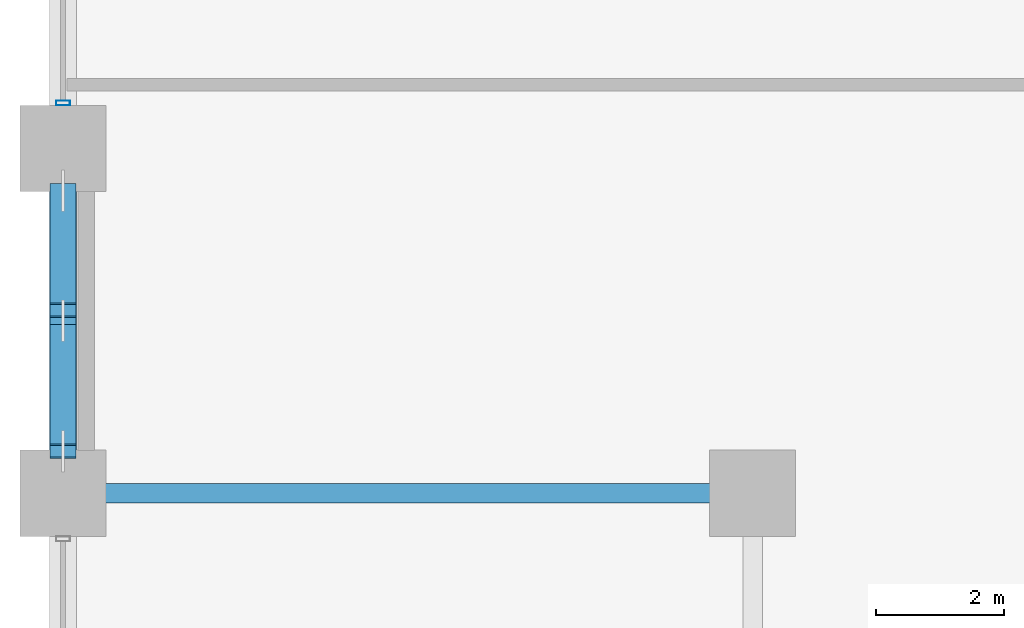
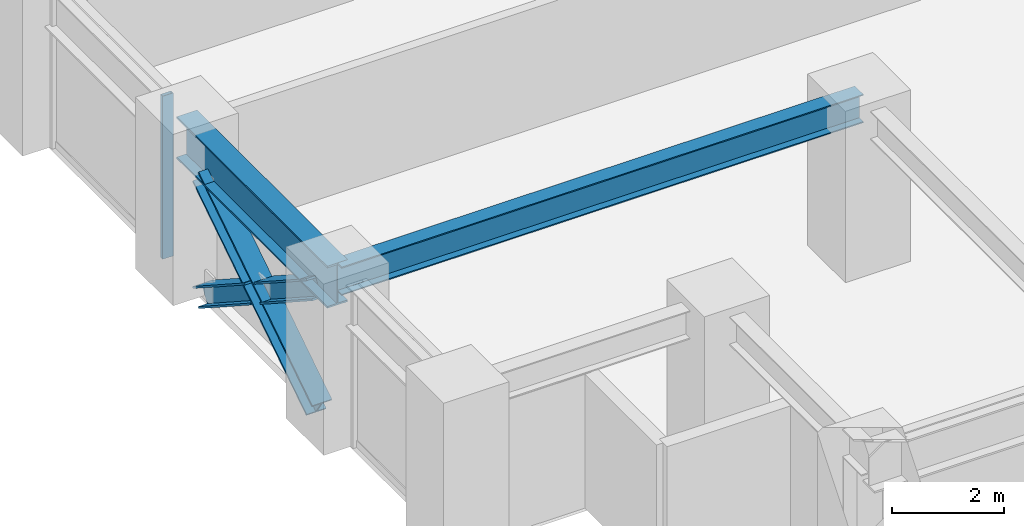
# One storey, part 3 of 24: 4 members, 2 beams, 1 element without a shape of its own.
"""IFC4 building model written with IfcOpenShell, lengths in metres."""

from ifc_helpers import new_model, si_unit, direction, frame, origin, origin_2d, place, context, subcontext, project, spatial, hollow_rectangle, i_section, extrude, material, layer, layer_set, material_profile, profile_set, type_object, element, aggregate, save


model = new_model("IFC4")

# Units and contexts
model_context = context("Model", 3, precision=1e-05, world=origin(), true_north=direction((0.0, 1.0)))
body_context = subcontext(model_context, "Body", "Model", "MODEL_VIEW")
ifc_project = project(units=[si_unit("LENGTHUNIT", "METRE"), si_unit("AREAUNIT", "SQUARE_METRE"), si_unit("VOLUMEUNIT", "CUBIC_METRE"), si_unit("PLANEANGLEUNIT", "RADIAN"), si_unit("MASSUNIT", "GRAM", prefix="KILO")], contexts=[model_context])

# Site, building, storey
site_placement = place(None, origin())
site = spatial("IfcSite", under=ifc_project, at=site_placement, CompositionType="ELEMENT")
building_placement = place(site_placement, origin())
building = spatial("IfcBuilding", under=site, at=building_placement, Name="Surkhivell Harbour Commons", CompositionType="ELEMENT")
storey_placement = place(building_placement, frame((0.0, 0.0, 26.25)))
storey = spatial("IfcBuildingStorey", under=building, at=storey_placement, Name="L06", CompositionType="ELEMENT", Elevation=26.25)

# Beams
ifc_material_1 = material(Name="Steel S355", Category="steel")
ifc_material_profile_1 = material_profile(ifc_material_1, i_section(OverallWidth=0.306884765625, OverallDepth=0.6201171875, WebThickness=0.01416015625, FlangeThickness=0.023681640625, at=origin_2d()), Name="UB610x305x179")
ifc_profile_set_1 = profile_set([ifc_material_profile_1], Name="Steel S355")
beam_type_1 = type_object("IfcBeamType", Name="BM-GRD-610A", PredefinedType="BEAM", material=ifc_profile_set_1)
beam_1_placement = place(storey_placement, frame((-32.39990234375, -16.199951171875, 3.260009765625), z_axis=(1.0, 0.0, 0.0), x_axis=(0.0, 1.0, 0.0)))
element("IfcBeam", 1, at=beam_1_placement, inside=storey, type_object=beam_type_1, Name="L06 Floor Girder (-32.4,-16.2)", PredefinedType="BEAM", context=body_context, shape_type="SweptSolid", body=[
    extrude(i_section(OverallWidth=0.306884765625, OverallDepth=0.6201171875, WebThickness=0.01416015625, FlangeThickness=0.023681640625, at=origin_2d()), origin(), (0.0, 0.0, 1.0), 10.7998046875),
])
ifc_material_2 = material(Name="Steel S460", Category="steel")
ifc_material_profile_2 = material_profile(ifc_material_2, i_section(OverallWidth=0.419921875, OverallDepth=0.9208984375, WebThickness=0.021484375, FlangeThickness=0.03662109375, at=origin_2d()), Name="UB914x419x388")
ifc_profile_set_2 = profile_set([ifc_material_profile_2], Name="Steel S460")
beam_type_2 = type_object("IfcBeamType", Name="BM-SPN-914A", PredefinedType="SPANDREL", material=ifc_profile_set_2)
beam_2_placement = place(storey_placement, frame((-32.39990234375, -16.199951171875, 3.109619140625), z_axis=(0.0, 1.0, 0.0), x_axis=(-1.0, 0.0, 0.0)))
element("IfcBeam", 2, at=beam_2_placement, inside=storey, type_object=beam_type_2, Name="L06 Tube Spandrel (-32.4,-16.2)", PredefinedType="SPANDREL", context=body_context, shape_type="SweptSolid", body=[
    extrude(i_section(OverallWidth=0.419921875, OverallDepth=0.9208984375, WebThickness=0.021484375, FlangeThickness=0.03662109375, at=origin_2d()), origin(), (0.0, 0.0, 1.0), 5.39990234375),
])

# Curtain wall, member
ifc_material_3 = material(Name="Anodised pale-metal aluminium and insulated glazing", Category="aluminium")
ifc_layer = layer(ifc_material_3, 0.219970703125)
ifc_layer_set = layer_set([ifc_layer], Name="Anodised pale-metal aluminium and insulated glazing")
curtain_wall_type = type_object("IfcCurtainWallType", Name="CW-SYS-Z1", PredefinedType="NOTDEFINED", material=ifc_layer_set)
curtain_wall_placement = place(storey_placement, origin())
curtain_wall = element("IfcCurtainWall", 3, at=curtain_wall_placement, inside=storey, type_object=curtain_wall_type, Name="L06 Curtain Wall CW-L06-E12S1", PredefinedType="NOTDEFINED")
ifc_material_4 = material(Name="Anodised pale-metal aluminium alloy 6063-T6", Category="aluminium")
ifc_material_profile_3 = material_profile(ifc_material_4, hollow_rectangle(XDim=0.074951171875, YDim=0.219970703125, WallThickness=0.00390625, at=origin_2d()), Name="ALU-MULL-75x220")
ifc_profile_set_3 = profile_set([ifc_material_profile_3], Name="Anodised pale-metal aluminium alloy 6063-T6")
member_type_1 = type_object("IfcMemberType", Name="CWM-220", PredefinedType="MULLION", material=ifc_profile_set_3)
member_1_placement = place(storey_placement, frame((-32.39990234375, -10.08544921875, 0.0), z_axis=(0.0, 0.0, 1.0), x_axis=(0.0, -1.0, 0.0)))
member_1 = element("IfcMember", 4, at=member_1_placement, type_object=member_type_1, Name="CW-Z1 mullion 7", PredefinedType="MULLION", context=body_context, shape_type="SweptSolid", body=[
    extrude(hollow_rectangle(XDim=0.074951171875, YDim=0.219970703125, WallThickness=0.00390625, at=origin_2d()), origin(), (0.0, 0.0, 1.0), 3.570068359375),
])
aggregate(curtain_wall, [member_1])

# Members
ifc_material_profile_4 = material_profile(ifc_material_2, i_section(OverallWidth=0.406005859375, OverallDepth=0.416015625, WebThickness=0.026611328125, FlangeThickness=0.0390625, at=origin_2d()), Name="HD400x382")
ifc_profile_set_4 = profile_set([ifc_material_profile_4], Name="Steel S460")
member_type_2 = type_object("IfcMemberType", Name="MEM-BRC-HD382", PredefinedType="BRACE", material=ifc_profile_set_4)
member_2_placement = place(storey_placement, frame((-32.39990234375, -15.5400390625, 0.008056640625), z_axis=(0.0, 0.83910375559, 0.543971403067), x_axis=(-1.0, 0.0, 0.0)))
element("IfcMember", 5, at=member_2_placement, inside=storey, type_object=member_type_2, Name="L06 Perimeter Mega-Brace MB- 10", PredefinedType="BRACE", context=body_context, shape_type="SweptSolid", body=[
    extrude(i_section(OverallWidth=0.406005859375, OverallDepth=0.416015625, WebThickness=0.026611328125, FlangeThickness=0.0390625, at=origin_2d()), origin(), (0.0, 0.0, 1.0), 4.8623046875),
])
for number, where, z_axis, x_axis, name in (
    (6, (-32.39990234375, -11.4599609375, 0.008056640625), (0.0, -0.839117847051, 0.54394966565), (1.0, 0.0, 0.0), "L06 Perimeter Mega-Brace MB- 11"),
    (7, (-32.39990234375, -13.66748046875, 1.439208984375), (0.0, -0.839117847051, 0.54394966565), (1.0, 0.0, 0.0), "L06 Perimeter Mega-Brace MB- 12"),
):
    element("IfcMember", number, at=place(storey_placement, frame(where, z_axis=z_axis, x_axis=x_axis)), inside=storey, type_object=member_type_2, Name=name, PredefinedType="BRACE", context=body_context, shape_type="SweptSolid", body=[
        extrude(i_section(OverallWidth=0.406005859375, OverallDepth=0.416015625, WebThickness=0.026611328125, FlangeThickness=0.0390625, at=origin_2d()), origin(), (0.0, 0.0, 1.0), 2.231689453125),
    ])

save(model, "model.ifc")
